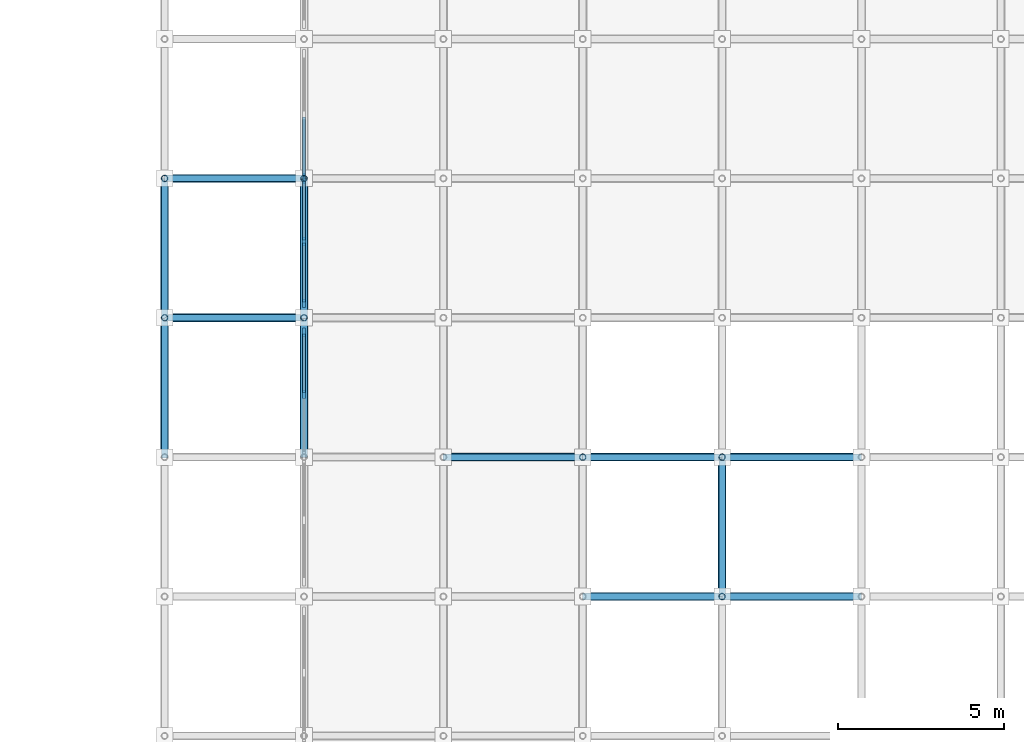
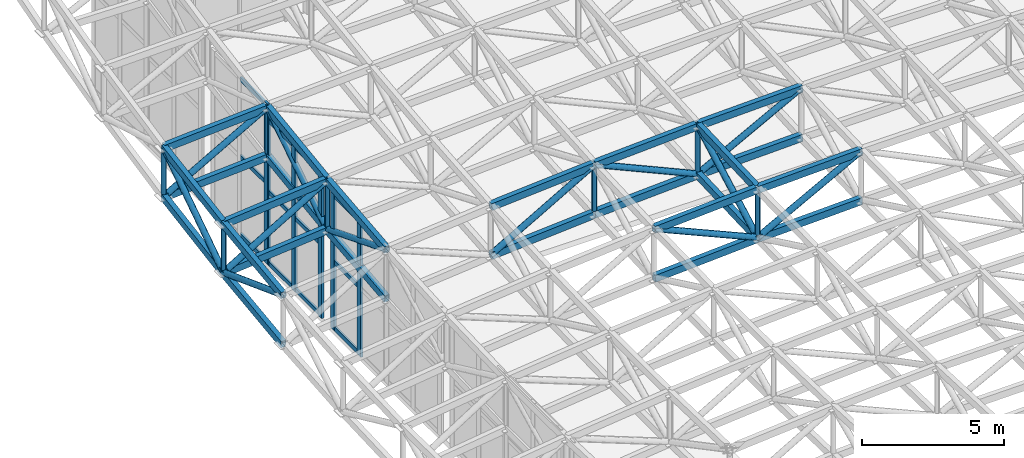
# One storey, part 43 of 123: 61 members, 3 elements without a shape of their own.
"""IFC4 building model written with IfcOpenShell, lengths in metres."""

import ifcopenshell
import ifcopenshell.guid

model = None  # the IFC model being written
_history = None  # IfcOwnerHistory: only IFC2X3 demands one
_inside = {}  # id of a spatial element -> (the spatial element, [elements in it])
_under = {}  # id of a project, library or spatial element -> (it, [spatial elements below it])
_declared = {}  # id of a project -> (the project, [libraries it declares])
_typed = {}  # id of a type object -> (the type object, [elements of that type])
_made_of = {}  # id of a material, layer set ... -> (it, [elements and type objects made of it])


def new_model(schema):
    """Start an empty IFC model of exactly this schema.

    Asked for "IFC4X3", IfcOpenShell would pick the latest addendum, in which some entities
    have other attributes; the version numbers below select the first issue.
    IFC2X3 requires an IfcOwnerHistory on every rooted entity: one is made here for all.
    """
    global model, _history
    if schema == "IFC4X3":
        model = ifcopenshell.file(schema_version=(4, 3, 0, 0))
    else:
        model = ifcopenshell.file(schema=schema)
    _inside.clear()
    _under.clear()
    _declared.clear()
    _typed.clear()
    _made_of.clear()
    _history = None
    if model.schema == "IFC2X3":
        org = make("IfcOrganization", Name="unknown")
        user = make(
            "IfcPersonAndOrganization",
            ThePerson=make("IfcPerson", FamilyName="unknown"),
            TheOrganization=org,
        )
        app = make(
            "IfcApplication",
            ApplicationDeveloper=org,
            Version="unknown",
            ApplicationFullName="unknown",
            ApplicationIdentifier="unknown",
        )
        _history = make(
            "IfcOwnerHistory",
            OwningUser=user,
            OwningApplication=app,
            ChangeAction="ADDED",
            CreationDate=0,
        )
    return model


def make(cls, **values):
    """One entity of the class cls with the attributes given. An attribute that is None is left unset."""
    return model.create_entity(
        cls, **{name: value for name, value in values.items() if value is not None}
    )


def rooted(cls, **values):
    """An entity with a GlobalId (a new one), such as an element, a storey or a relation."""
    return make(cls, GlobalId=ifcopenshell.guid.new(), OwnerHistory=_history, **values)


def si_unit(unit_type, name, prefix=None):
    """IfcSIUnit, for example si_unit("LENGTHUNIT", "METRE", prefix="MILLI")."""
    return make("IfcSIUnit", UnitType=unit_type, Prefix=prefix, Name=name)


def assignment(units):
    """IfcUnitAssignment: the units of a project."""
    return None if units is None else make("IfcUnitAssignment", Units=units)


def point(xyz):
    """IfcCartesianPoint."""
    return None if xyz is None else make("IfcCartesianPoint", Coordinates=xyz)


def direction(xyz):
    """IfcDirection."""
    return None if xyz is None else make("IfcDirection", DirectionRatios=xyz)


def frame(location, z_axis=None, x_axis=None):
    """IfcAxis2Placement3D, a coordinate frame: its origin and axes. An axis left out is left unset."""
    return make(
        "IfcAxis2Placement3D",
        Location=point(location),
        Axis=direction(z_axis),
        RefDirection=direction(x_axis),
    )


def frame_2d(location, x_axis=None):
    """IfcAxis2Placement2D, a coordinate frame in the plane: its origin and x axis."""
    return make(
        "IfcAxis2Placement2D", Location=point(location), RefDirection=direction(x_axis)
    )


def origin():
    """The frame at (0, 0, 0) with its axes left unset."""
    return frame((0.0, 0.0, 0.0))


def origin_2d():
    """The frame at (0, 0) in the plane with its x axis left unset."""
    return frame_2d((0.0, 0.0))


def place(relative_to, where):
    """IfcLocalPlacement: puts the frame where relative to a parent placement (None: the world)."""
    return make(
        "IfcLocalPlacement", PlacementRelTo=relative_to, RelativePlacement=where
    )


def context(
    kind, dimensions, precision=None, world=None, true_north=None, identifier=None
):
    """IfcGeometricRepresentationContext, for example the 3D "Model" context."""
    return make(
        "IfcGeometricRepresentationContext",
        ContextIdentifier=identifier,
        ContextType=kind,
        CoordinateSpaceDimension=dimensions,
        Precision=precision,
        WorldCoordinateSystem=world,
        TrueNorth=true_north,
    )


def subcontext(parent, identifier, kind, view, scale=None):
    """IfcGeometricRepresentationSubContext, for example "Body" below "Model"."""
    return make(
        "IfcGeometricRepresentationSubContext",
        ContextIdentifier=identifier,
        ContextType=kind,
        ParentContext=parent,
        TargetScale=scale,
        TargetView=view,
    )


def project(units=None, contexts=None):
    """IfcProject with its units and contexts."""
    return rooted(
        "IfcProject",
        Name="project",
        RepresentationContexts=contexts,
        UnitsInContext=assignment(units),
    )


def spatial(cls, under=None, at=None, **own):
    """A site, building, storey or space (cls), placed at a placement, below another one or the project."""
    s = rooted(cls, ObjectPlacement=at, **own)
    if under is not None:
        _under.setdefault(under.id(), (under, []))[1].append(s)
    return s


def profile(cls, at=None, kind="AREA", **sizes):
    """A parametric profile (cls). Its sizes go by their IFC names, for example OverallWidth=200.0."""
    return make(cls, ProfileType=kind, Position=at, **sizes)


def rectangle(**sizes):
    """IfcRectangleProfileDef."""
    return profile("IfcRectangleProfileDef", **sizes)


def hollow_rectangle(**sizes):
    """IfcRectangleHollowProfileDef."""
    return profile("IfcRectangleHollowProfileDef", **sizes)


def hollow_circle(**sizes):
    """IfcCircleHollowProfileDef."""
    return profile("IfcCircleHollowProfileDef", **sizes)


def extrude(swept, where, along, depth):
    """IfcExtrudedAreaSolid: the profile swept, set in the frame where, extruded along a direction by depth."""
    return make(
        "IfcExtrudedAreaSolid",
        SweptArea=swept,
        Position=where,
        ExtrudedDirection=direction(along),
        Depth=depth,
    )


def shape(context_of_items, identifier, shape_type, items):
    """IfcShapeRepresentation: the items that make up one representation, for example the "Body"."""
    return make(
        "IfcShapeRepresentation",
        ContextOfItems=context_of_items,
        RepresentationIdentifier=identifier,
        RepresentationType=shape_type,
        Items=items,
    )


def material(Name=None, Category=None):
    """IfcMaterial."""
    return make("IfcMaterial", Name=Name, Category=Category)


def material_profile(
    of_material, cross_section, Name=None, Category=None, Priority=None
):
    """IfcMaterialProfile: a cross section and its material."""
    return make(
        "IfcMaterialProfile",
        Name=Name,
        Material=of_material,
        Profile=cross_section,
        Priority=Priority,
        Category=Category,
    )


def profile_set(profiles, Name=None, composite=None):
    """IfcMaterialProfileSet."""
    return make(
        "IfcMaterialProfileSet",
        Name=Name,
        MaterialProfiles=profiles,
        CompositeProfile=composite,
    )


def made_of(thing, what):
    """Note that an element or type object is made of a material, layer set ...; save() writes the relation."""
    if what is not None:
        _made_of.setdefault(what.id(), (what, []))[1].append(thing)
    return thing


def type_object(cls, material=None, **own):
    """A type object (cls), such as IfcWallType, which elements share."""
    return made_of(rooted(cls, **own), material)


def element(
    cls,
    number,
    at=None,
    inside=None,
    cuts=None,
    type_object=None,
    material=None,
    context=None,
    identifier="Body",
    shape_type=None,
    held_by="IfcProductDefinitionShape",
    body=None,
    shapes=None,
    **own,
):
    """One element of the class cls, such as IfcWall. Its Tag is "e" and its number.

    at: its placement. inside: the storey or other place that contains it. cuts: it is an
    opening in that element (IfcRelVoidsElement). A single representation is given by context,
    identifier, shape_type and body (its items); several are given by shapes. held_by: the class
    of the entity that holds the representations. save() writes the other relations.
    """
    e = rooted(cls, Tag="e%d" % number, ObjectPlacement=at, **own)
    if body is not None:
        shapes = [shape(context, identifier, shape_type, body)]
    if shapes is not None:
        e.Representation = make(held_by, Representations=shapes)
    if inside is not None:
        _inside.setdefault(inside.id(), (inside, []))[1].append(e)
    if cuts is not None:
        rooted(
            "IfcRelVoidsElement", RelatingBuildingElement=cuts, RelatedOpeningElement=e
        )
    if type_object is not None:
        _typed.setdefault(type_object.id(), (type_object, []))[1].append(e)
    return made_of(e, material)


def aggregate(whole, parts):
    """IfcRelAggregates: a whole, such as a stair, and the parts it consists of."""
    return rooted("IfcRelAggregates", RelatingObject=whole, RelatedObjects=parts)


def save(model, path):
    """Write the relations noted so far, then the file.

    IfcRelAggregates (storeys below a building ...), IfcRelContainedInSpatialStructure (elements
    in a storey), IfcRelDefinesByType, IfcRelAssociatesMaterial and IfcRelDeclares: one each for
    every whole, place, type object, material and project.
    """
    for whole, parts in _under.values():
        aggregate(whole, parts)
    for where, things in _inside.values():
        rooted(
            "IfcRelContainedInSpatialStructure",
            RelatedElements=things,
            RelatingStructure=where,
        )
    for kind, things in _typed.values():
        rooted("IfcRelDefinesByType", RelatedObjects=things, RelatingType=kind)
    for what, things in _made_of.values():
        rooted("IfcRelAssociatesMaterial", RelatedObjects=things, RelatingMaterial=what)
    for by, libraries in _declared.values():
        rooted("IfcRelDeclares", RelatingContext=by, RelatedDefinitions=libraries)
    model.write(path)


model = new_model("IFC4")

# Units and contexts
model_context = context("Model", 3, precision=1e-05, world=origin(), true_north=direction((0.0, 1.0)))
body_context = subcontext(model_context, "Body", "Model", "MODEL_VIEW")
ifc_project = project(units=[si_unit("LENGTHUNIT", "METRE"), si_unit("AREAUNIT", "SQUARE_METRE"), si_unit("VOLUMEUNIT", "CUBIC_METRE"), si_unit("PLANEANGLEUNIT", "RADIAN"), si_unit("MASSUNIT", "GRAM", prefix="KILO")], contexts=[model_context])

# Site, building, storey
site_placement = place(None, origin())
site = spatial("IfcSite", under=ifc_project, at=site_placement, CompositionType="ELEMENT")
building_placement = place(site_placement, origin())
building = spatial("IfcBuilding", under=site, at=building_placement, Name="Cumbredor Promenade Congress Hotel", CompositionType="ELEMENT")
storey_placement = place(building_placement, frame((0.0, 0.0, 11.760009765625)))
storey = spatial("IfcBuildingStorey", under=building, at=storey_placement, Name="L03", CompositionType="ELEMENT", Elevation=11.760009765625)

# Members
ifc_material_1 = material(Name="Steel ASTM A500 Grade C", Category="steel")
ifc_material_profile_1 = material_profile(ifc_material_1, hollow_rectangle(XDim=0.199951171875, YDim=0.300048828125, WallThickness=0.012451171875, at=origin_2d()), Name="HSS 300x200x12.5")
ifc_profile_set_1 = profile_set([ifc_material_profile_1], Name="Steel ASTM A500 Grade C")
member_type_1 = type_object("IfcMemberType", Name="Ballroom Roof Space Frame Chord", PredefinedType="CHORD", material=ifc_profile_set_1)
for number, where, z_axis, x_axis, name in (
    (1, (151.199951171875, 42.0, 6.1708984375), (0.998250278263, 0.0, 0.059130211797), (0.0, 1.0, 0.0), "Grand Ballroom Pavilion X Top Chord 4.11"),
    (2, (151.199951171875, 42.0, 4.07080078125), (0.998246851415, 0.0, 0.059188036298), (0.0, 1.0, 0.0), "Grand Ballroom Pavilion X Bottom Chord 4.11"),
):
    element("IfcMember", number, at=place(storey_placement, frame(where, z_axis=z_axis, x_axis=x_axis)), inside=storey, type_object=member_type_1, Name=name, PredefinedType="CHORD", context=body_context, shape_type="SweptSolid", body=[
        extrude(hollow_rectangle(XDim=0.199951171875, YDim=0.300048828125, WallThickness=0.012451171875, at=origin_2d()), origin(), (0.0, 0.0, 1.0), 4.207275390625),
    ])
for number, where, z_axis, x_axis, name in (
    (3, (155.39990234375, 42.0, 6.419677734375), (0.999367876353, 0.0, 0.035550635918), (0.0, 1.0, 0.0), "Grand Ballroom Pavilion X Top Chord 5.11"),
    (4, (155.39990234375, 42.0, 4.31982421875), (0.999369938478, 0.0, 0.03549261988), (0.0, 1.0, 0.0), "Grand Ballroom Pavilion X Bottom Chord 5.11"),
):
    element("IfcMember", number, at=place(storey_placement, frame(where, z_axis=z_axis, x_axis=x_axis)), inside=storey, type_object=member_type_1, Name=name, PredefinedType="CHORD", context=body_context, shape_type="SweptSolid", body=[
        extrude(hollow_rectangle(XDim=0.199951171875, YDim=0.300048828125, WallThickness=0.012451171875, at=origin_2d()), origin(), (0.0, 0.0, 1.0), 4.202880859375),
    ])
for number, where, z_axis, x_axis, name in (
    (5, (147.0, 46.199951171875, 6.065673828125), (0.997290327023, 0.0, 0.073566321281), (0.0, 1.0, 0.0), "Grand Ballroom Pavilion X Top Chord 3.12"),
    (6, (147.0, 46.199951171875, 3.965576171875), (0.997290327023, 0.0, 0.073566321281), (0.0, 1.0, 0.0), "Grand Ballroom Pavilion X Bottom Chord 3.12"),
):
    element("IfcMember", number, at=place(storey_placement, frame(where, z_axis=z_axis, x_axis=x_axis)), inside=storey, type_object=member_type_1, Name=name, PredefinedType="CHORD", context=body_context, shape_type="SweptSolid", body=[
        extrude(hollow_rectangle(XDim=0.199951171875, YDim=0.300048828125, WallThickness=0.012451171875, at=origin_2d()), origin(), (0.0, 0.0, 1.0), 4.21142578125),
    ])
for number, where, z_axis, x_axis, name in (
    (7, (151.199951171875, 46.199951171875, 6.37548828125), (0.998616064852, 0.0, 0.052592347541), (0.0, 1.0, 0.0), "Grand Ballroom Pavilion X Top Chord 4.12"),
    (8, (151.199951171875, 46.199951171875, 4.275390625), (0.998616064852, 0.0, 0.052592347541), (0.0, 1.0, 0.0), "Grand Ballroom Pavilion X Bottom Chord 4.12"),
):
    element("IfcMember", number, at=place(storey_placement, frame(where, z_axis=z_axis, x_axis=x_axis)), inside=storey, type_object=member_type_1, Name=name, PredefinedType="CHORD", context=body_context, shape_type="SweptSolid", body=[
        extrude(hollow_rectangle(XDim=0.199951171875, YDim=0.300048828125, WallThickness=0.012451171875, at=origin_2d()), origin(), (0.0, 0.0, 1.0), 4.205810546875),
    ])
for number, where, z_axis, x_axis, name in (
    (9, (155.39990234375, 46.199951171875, 6.5966796875), (0.999500444885, 0.0, 0.031604757151), (0.0, 1.0, 0.0), "Grand Ballroom Pavilion X Top Chord 5.12"),
    (10, (155.39990234375, 46.199951171875, 4.49658203125), (0.999500444885, 0.0, 0.031604757151), (0.0, 1.0, 0.0), "Grand Ballroom Pavilion X Bottom Chord 5.12"),
):
    element("IfcMember", number, at=place(storey_placement, frame(where, z_axis=z_axis, x_axis=x_axis)), inside=storey, type_object=member_type_1, Name=name, PredefinedType="CHORD", context=body_context, shape_type="SweptSolid", body=[
        extrude(hollow_rectangle(XDim=0.199951171875, YDim=0.300048828125, WallThickness=0.012451171875, at=origin_2d()), origin(), (0.0, 0.0, 1.0), 4.202392578125),
    ])
for number, where, z_axis, x_axis, name in (
    (11, (138.60009765625, 50.39990234375, 5.71240234375), (0.995622284371, 0.0, 0.093467999143), (0.0, 1.0, 0.0), "Grand Ballroom Pavilion X Top Chord 1.13"),
    (12, (138.60009765625, 50.39990234375, 3.612548828125), (0.995627668519, 0.0, 0.093410629366), (0.0, 1.0, 0.0), "Grand Ballroom Pavilion X Bottom Chord 1.13"),
):
    element("IfcMember", number, at=place(storey_placement, frame(where, z_axis=z_axis, x_axis=x_axis)), inside=storey, type_object=member_type_1, Name=name, PredefinedType="CHORD", context=body_context, shape_type="SweptSolid", body=[
        extrude(hollow_rectangle(XDim=0.199951171875, YDim=0.300048828125, WallThickness=0.012451171875, at=origin_2d()), origin(), (0.0, 0.0, 1.0), 4.218505859375),
    ])
for number, where, z_axis, x_axis, name in (
    (13, (138.60009765625, 54.60009765625, 6.419677734375), (0.997906149499, 0.0, 0.064678565174), (0.0, 1.0, 0.0), "Grand Ballroom Pavilion X Top Chord 1.14"),
    (14, (138.60009765625, 54.60009765625, 4.31982421875), (0.997906149499, 0.0, 0.064678565174), (0.0, 1.0, 0.0), "Grand Ballroom Pavilion X Bottom Chord 1.14"),
):
    element("IfcMember", number, at=place(storey_placement, frame(where, z_axis=z_axis, x_axis=x_axis)), inside=storey, type_object=member_type_1, Name=name, PredefinedType="CHORD", context=body_context, shape_type="SweptSolid", body=[
        extrude(hollow_rectangle(XDim=0.199951171875, YDim=0.300048828125, WallThickness=0.012451171875, at=origin_2d()), origin(), (0.0, 0.0, 1.0), 4.208740234375),
    ])
for number, where, z_axis, x_axis, name in (
    (15, (138.60009765625, 46.199951171875, 5.181884765625), (0.0, 0.992116453102, 0.125319365959), (-1.0, 0.0, 0.0), "Grand Ballroom Pavilion Y Top Chord 1.12"),
    (16, (138.60009765625, 46.199951171875, 3.08203125), (0.0, 0.992116453102, 0.125319365959), (-1.0, 0.0, 0.0), "Grand Ballroom Pavilion Y Bottom Chord 1.12"),
):
    element("IfcMember", number, at=place(storey_placement, frame(where, z_axis=z_axis, x_axis=x_axis)), inside=storey, type_object=member_type_1, Name=name, PredefinedType="CHORD", context=body_context, shape_type="SweptSolid", body=[
        extrude(hollow_rectangle(XDim=0.199951171875, YDim=0.300048828125, WallThickness=0.012451171875, at=origin_2d()), origin(), (0.0, 0.0, 1.0), 4.2333984375),
    ])
for number, where, z_axis, x_axis, name in (
    (17, (138.60009765625, 50.39990234375, 5.71240234375), (0.0, 0.986116785193, 0.166053262422), (-1.0, 0.0, 0.0), "Grand Ballroom Pavilion Y Top Chord 1.13"),
    (18, (138.60009765625, 50.39990234375, 3.612548828125), (0.0, 0.986116785193, 0.166053262422), (-1.0, 0.0, 0.0), "Grand Ballroom Pavilion Y Bottom Chord 1.13"),
):
    element("IfcMember", number, at=place(storey_placement, frame(where, z_axis=z_axis, x_axis=x_axis)), inside=storey, type_object=member_type_1, Name=name, PredefinedType="CHORD", context=body_context, shape_type="SweptSolid", body=[
        extrude(hollow_rectangle(XDim=0.199951171875, YDim=0.300048828125, WallThickness=0.012451171875, at=origin_2d()), origin(), (0.0, 0.0, 1.0), 4.25927734375),
    ])
for number, where, z_axis, x_axis, name in (
    (19, (142.800048828125, 46.199951171875, 5.66748046875), (0.0, 0.994576500093, 0.10400762214), (-1.0, 0.0, 0.0), "Grand Ballroom Pavilion Y Top Chord 2.12"),
    (20, (142.800048828125, 46.199951171875, 3.5673828125), (0.0, 0.994576500093, 0.10400762214), (-1.0, 0.0, 0.0), "Grand Ballroom Pavilion Y Bottom Chord 2.12"),
):
    element("IfcMember", number, at=place(storey_placement, frame(where, z_axis=z_axis, x_axis=x_axis)), inside=storey, type_object=member_type_1, Name=name, PredefinedType="CHORD", context=body_context, shape_type="SweptSolid", body=[
        extrude(hollow_rectangle(XDim=0.199951171875, YDim=0.300048828125, WallThickness=0.012451171875, at=origin_2d()), origin(), (0.0, 0.0, 1.0), 4.222900390625),
    ])
for number, where, z_axis, x_axis, name in (
    (21, (142.800048828125, 50.39990234375, 6.106689453125), (0.0, 0.990432911688, 0.137995099356), (-1.0, 0.0, 0.0), "Grand Ballroom Pavilion Y Top Chord 2.13"),
    (22, (142.800048828125, 50.39990234375, 4.006591796875), (0.0, 0.990425041778, 0.138051572319), (-1.0, 0.0, 0.0), "Grand Ballroom Pavilion Y Bottom Chord 2.13"),
):
    element("IfcMember", number, at=place(storey_placement, frame(where, z_axis=z_axis, x_axis=x_axis)), inside=storey, type_object=member_type_1, Name=name, PredefinedType="CHORD", context=body_context, shape_type="SweptSolid", body=[
        extrude(hollow_rectangle(XDim=0.199951171875, YDim=0.300048828125, WallThickness=0.012451171875, at=origin_2d()), origin(), (0.0, 0.0, 1.0), 4.24072265625),
    ])
for number, where, z_axis, x_axis, name in (
    (23, (155.39990234375, 42.0, 6.419677734375), (0.0, 0.999113130752, 0.042106436075), (-1.0, 0.0, 0.0), "Grand Ballroom Pavilion Y Top Chord 5.11"),
    (24, (155.39990234375, 42.0, 4.31982421875), (0.0, 0.999115572358, 0.042048460989), (-1.0, 0.0, 0.0), "Grand Ballroom Pavilion Y Bottom Chord 5.11"),
):
    element("IfcMember", number, at=place(storey_placement, frame(where, z_axis=z_axis, x_axis=x_axis)), inside=storey, type_object=member_type_1, Name=name, PredefinedType="CHORD", context=body_context, shape_type="SweptSolid", body=[
        extrude(hollow_rectangle(XDim=0.199951171875, YDim=0.300048828125, WallThickness=0.012451171875, at=origin_2d()), origin(), (0.0, 0.0, 1.0), 4.20361328125),
    ])

# Curtain wall, members
ifc_material_2 = material(Name="Thermally broken anodized aluminium and low-E glass", Category="aluminium")
curtain_wall_type = type_object("IfcCurtainWallType", Name="Stepped Pavilion Clerestory Curtain Wall CW-06", PredefinedType="NOTDEFINED", material=ifc_material_2)
curtain_wall_1_placement = place(storey_placement, origin())
curtain_wall_1 = element("IfcCurtainWall", 25, at=curtain_wall_1_placement, inside=storey, type_object=curtain_wall_type, Name="Grand Ballroom Pavilion W Glazed Clerestory 10", PredefinedType="NOTDEFINED")
ifc_material_3 = material(Name="Thermally broken anodized aluminium", Category="aluminium")
ifc_material_profile_2 = material_profile(ifc_material_3, rectangle(XDim=0.0849609375, YDim=0.260009765625, at=origin_2d()), Name="ALU MULLION CLERESTORY 85x260")
ifc_profile_set_2 = profile_set([ifc_material_profile_2], Name="Thermally broken anodized aluminium")
member_type_2 = type_object("IfcMemberType", Name="Curtain Wall Mullion ML-04", PredefinedType="MULLION", material=ifc_profile_set_2)
member_1_placement = place(storey_placement, frame((142.800048828125, 48.10009765625, -0.01806640625), z_axis=(0.0, 0.0, 1.0), x_axis=(1.0, 0.0, 0.0)))
member_1 = element("IfcMember", 26, at=member_1_placement, type_object=member_type_2, Name="Grand Ballroom Pavilion W Glazed Clerestory 10 Mullion 2", PredefinedType="MULLION", context=body_context, shape_type="SweptSolid", body=[
    extrude(rectangle(XDim=0.0849609375, YDim=0.260009765625, at=origin_2d()), origin(), (0.0, 0.0, 1.0), 5.861572265625),
])
member_2_placement = place(storey_placement, frame((142.800048828125, 49.9599609375, -0.01806640625), z_axis=(0.0, 0.0, 1.0), x_axis=(1.0, 0.0, 0.0)))
member_2 = element("IfcMember", 27, at=member_2_placement, type_object=member_type_2, Name="Grand Ballroom Pavilion W Glazed Clerestory 10 Mullion 3", PredefinedType="MULLION", context=body_context, shape_type="SweptSolid", body=[
    extrude(rectangle(XDim=0.0849609375, YDim=0.260009765625, at=origin_2d()), origin(), (0.0, 0.0, 1.0), 5.861572265625),
])

curtain_wall_2_placement = place(storey_placement, origin())
curtain_wall_2 = element("IfcCurtainWall", 28, at=curtain_wall_2_placement, inside=storey, type_object=curtain_wall_type, Name="Grand Ballroom Pavilion W Glazed Clerestory 11", PredefinedType="NOTDEFINED")
member_3_placement = place(storey_placement, frame((142.800048828125, 50.840087890625, -0.01806640625), z_axis=(0.0, 0.0, 1.0), x_axis=(1.0, 0.0, 0.0)))
member_3 = element("IfcMember", 29, at=member_3_placement, type_object=member_type_2, Name="Grand Ballroom Pavilion W Glazed Clerestory 11 Mullion 1", PredefinedType="MULLION", context=body_context, shape_type="SweptSolid", body=[
    extrude(rectangle(XDim=0.0849609375, YDim=0.260009765625, at=origin_2d()), origin(), (0.0, 0.0, 1.0), 6.300537109375),
])
member_4_placement = place(storey_placement, frame((142.800048828125, 52.699951171875, -0.01806640625), z_axis=(0.0, 0.0, 1.0), x_axis=(1.0, 0.0, 0.0)))
member_4 = element("IfcMember", 30, at=member_4_placement, type_object=member_type_2, Name="Grand Ballroom Pavilion W Glazed Clerestory 11 Mullion 2", PredefinedType="MULLION", context=body_context, shape_type="SweptSolid", body=[
    extrude(rectangle(XDim=0.0849609375, YDim=0.260009765625, at=origin_2d()), origin(), (0.0, 0.0, 1.0), 6.300537109375),
])
member_5_placement = place(storey_placement, frame((142.800048828125, 54.56005859375, -0.01806640625), z_axis=(0.0, 0.0, 1.0), x_axis=(1.0, 0.0, 0.0)))
member_5 = element("IfcMember", 31, at=member_5_placement, type_object=member_type_2, Name="Grand Ballroom Pavilion W Glazed Clerestory 11 Mullion 3", PredefinedType="MULLION", context=body_context, shape_type="SweptSolid", body=[
    extrude(rectangle(XDim=0.0849609375, YDim=0.260009765625, at=origin_2d()), origin(), (0.0, 0.0, 1.0), 6.300537109375),
])

# Curtain wall, member
curtain_wall_3_placement = place(storey_placement, origin())
curtain_wall_3 = element("IfcCurtainWall", 32, at=curtain_wall_3_placement, inside=storey, type_object=curtain_wall_type, Name="Grand Ballroom Pavilion W Glazed Clerestory 12", PredefinedType="NOTDEFINED")
member_6_placement = place(storey_placement, frame((142.800048828125, 54.639892578125, -0.01806640625), z_axis=(0.0, 0.0, 1.0), x_axis=(1.0, 0.0, 0.0)))
member_6 = element("IfcMember", 33, at=member_6_placement, type_object=member_type_2, Name="Grand Ballroom Pavilion W Glazed Clerestory 12 Mullion 1", PredefinedType="MULLION", context=body_context, shape_type="SweptSolid", body=[
    extrude(rectangle(XDim=0.0849609375, YDim=0.260009765625, at=origin_2d()), origin(), (0.0, 0.0, 1.0), 6.885986328125),
])

# Member
ifc_material_profile_3 = material_profile(ifc_material_3, rectangle(XDim=0.080078125, YDim=0.179931640625, at=origin_2d()), Name="ALU TRANSOM 80x180")
ifc_profile_set_3 = profile_set([ifc_material_profile_3], Name="Thermally broken anodized aluminium")
member_type_3 = type_object("IfcMemberType", Name="Curtain Wall Transom TR-03", PredefinedType="USERDEFINED", material=ifc_profile_set_3)
member_7_placement = place(storey_placement, frame((142.800048828125, 48.142578125, 0.080078125), z_axis=(0.0, 1.0, 0.0), x_axis=(-1.0, 0.0, 0.0)))
member_7 = element("IfcMember", 34, at=member_7_placement, type_object=member_type_3, Name="Grand Ballroom Pavilion W Glazed Clerestory 10 Transom 2.1", ObjectType="TRANSOM", PredefinedType="USERDEFINED", context=body_context, shape_type="SweptSolid", body=[
    extrude(rectangle(XDim=0.080078125, YDim=0.179931640625, at=origin_2d()), origin(), (0.0, 0.0, 1.0), 1.77490234375),
])

member_8_placement = place(storey_placement, frame((142.800048828125, 48.142578125, 2.919921875), z_axis=(0.0, 1.0, 0.0), x_axis=(-1.0, 0.0, 0.0)))
member_8 = element("IfcMember", 35, at=member_8_placement, type_object=member_type_3, Name="Grand Ballroom Pavilion W Glazed Clerestory 10 Transom 2.2", ObjectType="TRANSOM", PredefinedType="USERDEFINED", context=body_context, shape_type="SweptSolid", body=[
    extrude(rectangle(XDim=0.080078125, YDim=0.179931640625, at=origin_2d()), origin(), (0.0, 0.0, 1.0), 1.77490234375),
])

member_9_placement = place(storey_placement, frame((142.800048828125, 48.142578125, 5.75), z_axis=(0.0, 1.0, 0.0), x_axis=(-1.0, 0.0, 0.0)))
member_9 = element("IfcMember", 36, at=member_9_placement, type_object=member_type_3, Name="Grand Ballroom Pavilion W Glazed Clerestory 10 Transom 2.3", ObjectType="TRANSOM", PredefinedType="USERDEFINED", context=body_context, shape_type="SweptSolid", body=[
    extrude(rectangle(XDim=0.080078125, YDim=0.179931640625, at=origin_2d()), origin(), (0.0, 0.0, 1.0), 1.77490234375),
])

aggregate(curtain_wall_1, [member_1, member_2, member_7, member_8, member_9])

member_10_placement = place(storey_placement, frame((142.800048828125, 50.882568359375, 0.080078125), z_axis=(0.0, 1.0, 0.0), x_axis=(-1.0, 0.0, 0.0)))
member_10 = element("IfcMember", 37, at=member_10_placement, type_object=member_type_3, Name="Grand Ballroom Pavilion W Glazed Clerestory 11 Transom 1.1", ObjectType="TRANSOM", PredefinedType="USERDEFINED", context=body_context, shape_type="SweptSolid", body=[
    extrude(rectangle(XDim=0.080078125, YDim=0.179931640625, at=origin_2d()), origin(), (0.0, 0.0, 1.0), 1.77490234375),
])

member_11_placement = place(storey_placement, frame((142.800048828125, 50.882568359375, 3.1298828125), z_axis=(0.0, 1.0, 0.0), x_axis=(-1.0, 0.0, 0.0)))
member_11 = element("IfcMember", 38, at=member_11_placement, type_object=member_type_3, Name="Grand Ballroom Pavilion W Glazed Clerestory 11 Transom 1.2", ObjectType="TRANSOM", PredefinedType="USERDEFINED", context=body_context, shape_type="SweptSolid", body=[
    extrude(rectangle(XDim=0.080078125, YDim=0.179931640625, at=origin_2d()), origin(), (0.0, 0.0, 1.0), 1.77490234375),
])

member_12_placement = place(storey_placement, frame((142.800048828125, 50.882568359375, 6.179931640625), z_axis=(0.0, 1.0, 0.0), x_axis=(-1.0, 0.0, 0.0)))
member_12 = element("IfcMember", 39, at=member_12_placement, type_object=member_type_3, Name="Grand Ballroom Pavilion W Glazed Clerestory 11 Transom 1.3", ObjectType="TRANSOM", PredefinedType="USERDEFINED", context=body_context, shape_type="SweptSolid", body=[
    extrude(rectangle(XDim=0.080078125, YDim=0.179931640625, at=origin_2d()), origin(), (0.0, 0.0, 1.0), 1.77490234375),
])

member_13_placement = place(storey_placement, frame((142.800048828125, 52.742431640625, 0.080078125), z_axis=(0.0, 1.0, 0.0), x_axis=(-1.0, 0.0, 0.0)))
member_13 = element("IfcMember", 40, at=member_13_placement, type_object=member_type_3, Name="Grand Ballroom Pavilion W Glazed Clerestory 11 Transom 2.1", ObjectType="TRANSOM", PredefinedType="USERDEFINED", context=body_context, shape_type="SweptSolid", body=[
    extrude(rectangle(XDim=0.080078125, YDim=0.179931640625, at=origin_2d()), origin(), (0.0, 0.0, 1.0), 1.775146484375),
])

member_14_placement = place(storey_placement, frame((142.800048828125, 52.742431640625, 3.1298828125), z_axis=(0.0, 1.0, 0.0), x_axis=(-1.0, 0.0, 0.0)))
member_14 = element("IfcMember", 41, at=member_14_placement, type_object=member_type_3, Name="Grand Ballroom Pavilion W Glazed Clerestory 11 Transom 2.2", ObjectType="TRANSOM", PredefinedType="USERDEFINED", context=body_context, shape_type="SweptSolid", body=[
    extrude(rectangle(XDim=0.080078125, YDim=0.179931640625, at=origin_2d()), origin(), (0.0, 0.0, 1.0), 1.775146484375),
])

member_15_placement = place(storey_placement, frame((142.800048828125, 52.742431640625, 6.179931640625), z_axis=(0.0, 1.0, 0.0), x_axis=(-1.0, 0.0, 0.0)))
member_15 = element("IfcMember", 42, at=member_15_placement, type_object=member_type_3, Name="Grand Ballroom Pavilion W Glazed Clerestory 11 Transom 2.3", ObjectType="TRANSOM", PredefinedType="USERDEFINED", context=body_context, shape_type="SweptSolid", body=[
    extrude(rectangle(XDim=0.080078125, YDim=0.179931640625, at=origin_2d()), origin(), (0.0, 0.0, 1.0), 1.775146484375),
])

aggregate(curtain_wall_2, [member_3, member_4, member_5, member_10, member_11, member_12, member_13, member_14, member_15])

member_16_placement = place(storey_placement, frame((142.800048828125, 54.6826171875, 0.080078125), z_axis=(0.0, 1.0, 0.0), x_axis=(-1.0, 0.0, 0.0)))
member_16 = element("IfcMember", 43, at=member_16_placement, type_object=member_type_3, Name="Grand Ballroom Pavilion W Glazed Clerestory 12 Transom 1.1", ObjectType="TRANSOM", PredefinedType="USERDEFINED", context=body_context, shape_type="SweptSolid", body=[
    extrude(rectangle(XDim=0.080078125, YDim=0.179931640625, at=origin_2d()), origin(), (0.0, 0.0, 1.0), 1.77490234375),
])

member_17_placement = place(storey_placement, frame((142.800048828125, 54.6826171875, 3.429931640625), z_axis=(0.0, 1.0, 0.0), x_axis=(-1.0, 0.0, 0.0)))
member_17 = element("IfcMember", 44, at=member_17_placement, type_object=member_type_3, Name="Grand Ballroom Pavilion W Glazed Clerestory 12 Transom 1.2", ObjectType="TRANSOM", PredefinedType="USERDEFINED", context=body_context, shape_type="SweptSolid", body=[
    extrude(rectangle(XDim=0.080078125, YDim=0.179931640625, at=origin_2d()), origin(), (0.0, 0.0, 1.0), 1.77490234375),
])

member_18_placement = place(storey_placement, frame((142.800048828125, 54.6826171875, 6.77001953125), z_axis=(0.0, 1.0, 0.0), x_axis=(-1.0, 0.0, 0.0)))
member_18 = element("IfcMember", 45, at=member_18_placement, type_object=member_type_3, Name="Grand Ballroom Pavilion W Glazed Clerestory 12 Transom 1.3", ObjectType="TRANSOM", PredefinedType="USERDEFINED", context=body_context, shape_type="SweptSolid", body=[
    extrude(rectangle(XDim=0.080078125, YDim=0.179931640625, at=origin_2d()), origin(), (0.0, 0.0, 1.0), 1.77490234375),
])

aggregate(curtain_wall_3, [member_6, member_16, member_17, member_18])

# Members
ifc_material_profile_4 = material_profile(ifc_material_1, hollow_circle(Radius=0.122314453125, WallThickness=0.012451171875, at=origin_2d()), Name="CHS 244.5x12.5")
ifc_profile_set_4 = profile_set([ifc_material_profile_4], Name="Steel ASTM A500 Grade C")
member_type_4 = type_object("IfcMemberType", Name="Space Frame Web Diagonal D2", PredefinedType="BRACE", material=ifc_profile_set_4)
member_19_placement = place(storey_placement, frame((151.199951171875, 42.0, 6.1708984375), z_axis=(0.915066223457, 0.0, -0.403303616012), x_axis=(0.0, 1.0, 0.0)))
element("IfcMember", 46, at=member_19_placement, inside=storey, type_object=member_type_4, Name="Grand Ballroom Pavilion X Web Diagonal 4.11", PredefinedType="BRACE", context=body_context, shape_type="SweptSolid", body=[
    extrude(hollow_circle(Radius=0.122314453125, WallThickness=0.012451171875, at=origin_2d()), origin(), (0.0, 0.0, 1.0), 4.58984375),
])
member_20_placement = place(storey_placement, frame((155.39990234375, 42.0, 4.31982421875), z_axis=(0.881553088582, 0.0, 0.472084899157), x_axis=(0.0, 1.0, 0.0)))
element("IfcMember", 47, at=member_20_placement, inside=storey, type_object=member_type_4, Name="Grand Ballroom Pavilion X Web Diagonal 5.11", PredefinedType="BRACE", context=body_context, shape_type="SweptSolid", body=[
    extrude(hollow_circle(Radius=0.122314453125, WallThickness=0.012451171875, at=origin_2d()), origin(), (0.0, 0.0, 1.0), 4.7646484375),
])
member_21_placement = place(storey_placement, frame((147.0, 46.199951171875, 3.965576171875), z_axis=(0.867357491971, 0.0, 0.497685624789), x_axis=(0.0, 1.0, 0.0)))
element("IfcMember", 48, at=member_21_placement, inside=storey, type_object=member_type_4, Name="Grand Ballroom Pavilion X Web Diagonal 3.12", PredefinedType="BRACE", context=body_context, shape_type="SweptSolid", body=[
    extrude(hollow_circle(Radius=0.122314453125, WallThickness=0.012451171875, at=origin_2d()), origin(), (0.0, 0.0, 1.0), 4.84228515625),
])
member_22_placement = place(storey_placement, frame((151.199951171875, 46.199951171875, 6.37548828125), z_axis=(0.912819813426, 0.0, -0.408362569559), x_axis=(0.0, 1.0, 0.0)))
element("IfcMember", 49, at=member_22_placement, inside=storey, type_object=member_type_4, Name="Grand Ballroom Pavilion X Web Diagonal 4.12", PredefinedType="BRACE", context=body_context, shape_type="SweptSolid", body=[
    extrude(hollow_circle(Radius=0.122314453125, WallThickness=0.012451171875, at=origin_2d()), origin(), (0.0, 0.0, 1.0), 4.60107421875),
])
member_23_placement = place(storey_placement, frame((155.39990234375, 46.199951171875, 4.49658203125), z_axis=(0.882980121251, 0.0, 0.469410380665), x_axis=(0.0, 1.0, 0.0)))
element("IfcMember", 50, at=member_23_placement, inside=storey, type_object=member_type_4, Name="Grand Ballroom Pavilion X Web Diagonal 5.12", PredefinedType="BRACE", context=body_context, shape_type="SweptSolid", body=[
    extrude(hollow_circle(Radius=0.122314453125, WallThickness=0.012451171875, at=origin_2d()), origin(), (0.0, 0.0, 1.0), 4.7568359375),
])
member_24_placement = place(storey_placement, frame((138.60009765625, 50.39990234375, 3.612548828125), z_axis=(0.859817030467, 0.0, 0.510602266073), x_axis=(0.0, 1.0, 0.0)))
element("IfcMember", 51, at=member_24_placement, inside=storey, type_object=member_type_4, Name="Grand Ballroom Pavilion X Web Diagonal 1.13", PredefinedType="BRACE", context=body_context, shape_type="SweptSolid", body=[
    extrude(hollow_circle(Radius=0.122314453125, WallThickness=0.012451171875, at=origin_2d()), origin(), (0.0, 0.0, 1.0), 4.884765625),
])
member_25_placement = place(storey_placement, frame((138.60009765625, 54.60009765625, 4.31982421875), z_axis=(0.870723990269, 0.0, 0.491772033335), x_axis=(0.0, 1.0, 0.0)))
element("IfcMember", 52, at=member_25_placement, inside=storey, type_object=member_type_4, Name="Grand Ballroom Pavilion X Web Diagonal 1.14", PredefinedType="BRACE", context=body_context, shape_type="SweptSolid", body=[
    extrude(hollow_circle(Radius=0.122314453125, WallThickness=0.012451171875, at=origin_2d()), origin(), (0.0, 0.0, 1.0), 4.823486328125),
])
member_26_placement = place(storey_placement, frame((138.60009765625, 46.199951171875, 5.181884765625), z_axis=(0.0, 0.936742513249, -0.350019233574), x_axis=(-1.0, 0.0, 0.0)))
element("IfcMember", 53, at=member_26_placement, inside=storey, type_object=member_type_4, Name="Grand Ballroom Pavilion Y Web Diagonal 1.12", PredefinedType="BRACE", context=body_context, shape_type="SweptSolid", body=[
    extrude(hollow_circle(Radius=0.122314453125, WallThickness=0.012451171875, at=origin_2d()), origin(), (0.0, 0.0, 1.0), 4.483642578125),
])
member_27_placement = place(storey_placement, frame((138.60009765625, 50.39990234375, 3.612548828125), z_axis=(0.0, 0.831410343846, 0.555658924293), x_axis=(-1.0, 0.0, 0.0)))
element("IfcMember", 54, at=member_27_placement, inside=storey, type_object=member_type_4, Name="Grand Ballroom Pavilion Y Web Diagonal 1.13", PredefinedType="BRACE", context=body_context, shape_type="SweptSolid", body=[
    extrude(hollow_circle(Radius=0.122314453125, WallThickness=0.012451171875, at=origin_2d()), origin(), (0.0, 0.0, 1.0), 5.052001953125),
])
member_28_placement = place(storey_placement, frame((142.800048828125, 46.199951171875, 5.66748046875), z_axis=(0.0, 0.929927190397, -0.367743688675), x_axis=(-1.0, 0.0, 0.0)))
element("IfcMember", 55, at=member_28_placement, inside=storey, type_object=member_type_4, Name="Grand Ballroom Pavilion Y Web Diagonal 2.12", PredefinedType="BRACE", context=body_context, shape_type="SweptSolid", body=[
    extrude(hollow_circle(Radius=0.122314453125, WallThickness=0.012451171875, at=origin_2d()), origin(), (0.0, 0.0, 1.0), 4.516357421875),
])
member_29_placement = place(storey_placement, frame((142.800048828125, 50.39990234375, 4.006591796875), z_axis=(0.0, 0.842528342713, 0.538652013572), x_axis=(-1.0, 0.0, 0.0)))
element("IfcMember", 56, at=member_29_placement, inside=storey, type_object=member_type_4, Name="Grand Ballroom Pavilion Y Web Diagonal 2.13", PredefinedType="BRACE", context=body_context, shape_type="SweptSolid", body=[
    extrude(hollow_circle(Radius=0.122314453125, WallThickness=0.012451171875, at=origin_2d()), origin(), (0.0, 0.0, 1.0), 4.985107421875),
])
member_30_placement = place(storey_placement, frame((155.39990234375, 42.0, 4.31982421875), z_axis=(0.0, 0.879126943322, 0.476587680836), x_axis=(-1.0, 0.0, 0.0)))
element("IfcMember", 57, at=member_30_placement, inside=storey, type_object=member_type_4, Name="Grand Ballroom Pavilion Y Web Diagonal 5.11", PredefinedType="BRACE", context=body_context, shape_type="SweptSolid", body=[
    extrude(hollow_circle(Radius=0.122314453125, WallThickness=0.012451171875, at=origin_2d()), origin(), (0.0, 0.0, 1.0), 4.77734375),
])
ifc_material_profile_5 = material_profile(ifc_material_1, hollow_circle(Radius=0.096923828125, WallThickness=0.010009765625, at=origin_2d()), Name="CHS 193.7x10")
ifc_profile_set_5 = profile_set([ifc_material_profile_5], Name="Steel ASTM A500 Grade C")
member_type_5 = type_object("IfcMemberType", Name="Space Frame Web Post P1", PredefinedType="BRACE", material=ifc_profile_set_5)
for number, where, z_axis, x_axis, name in (
    (58, (138.60009765625, 50.39990234375, 3.612548828125), (0.0, 0.0, 1.0), (1.0, 0.0, 0.0), "Grand Ballroom Pavilion Space Frame Web Post 1.13"),
    (59, (138.60009765625, 54.60009765625, 4.31982421875), (0.0, 0.0, 1.0), (1.0, 0.0, 0.0), "Grand Ballroom Pavilion Space Frame Web Post 1.14"),
):
    element("IfcMember", number, at=place(storey_placement, frame(where, z_axis=z_axis, x_axis=x_axis)), inside=storey, type_object=member_type_5, Name=name, PredefinedType="BRACE", context=body_context, shape_type="SweptSolid", body=[
        extrude(hollow_circle(Radius=0.096923828125, WallThickness=0.010009765625, at=origin_2d()), origin(), (0.0, 0.0, 1.0), 2.099853515625),
    ])
member_31_placement = place(storey_placement, frame((142.800048828125, 50.39990234375, 4.006591796875), z_axis=(0.0, 0.0, 1.0), x_axis=(1.0, 0.0, 0.0)))
element("IfcMember", 60, at=member_31_placement, inside=storey, type_object=member_type_5, Name="Grand Ballroom Pavilion Space Frame Web Post 2.13", PredefinedType="BRACE", context=body_context, shape_type="SweptSolid", body=[
    extrude(hollow_circle(Radius=0.096923828125, WallThickness=0.010009765625, at=origin_2d()), origin(), (0.0, 0.0, 1.0), 2.10009765625),
])
member_32_placement = place(storey_placement, frame((142.800048828125, 54.60009765625, 4.592041015625), z_axis=(0.0, 0.0, 1.0), x_axis=(1.0, 0.0, 0.0)))
element("IfcMember", 61, at=member_32_placement, inside=storey, type_object=member_type_5, Name="Grand Ballroom Pavilion Space Frame Web Post 2.14", PredefinedType="BRACE", context=body_context, shape_type="SweptSolid", body=[
    extrude(hollow_circle(Radius=0.096923828125, WallThickness=0.010009765625, at=origin_2d()), origin(), (0.0, 0.0, 1.0), 2.099853515625),
])
member_33_placement = place(storey_placement, frame((151.199951171875, 46.199951171875, 4.275390625), z_axis=(0.0, 0.0, 1.0), x_axis=(1.0, 0.0, 0.0)))
element("IfcMember", 62, at=member_33_placement, inside=storey, type_object=member_type_5, Name="Grand Ballroom Pavilion Space Frame Web Post 4.12", PredefinedType="BRACE", context=body_context, shape_type="SweptSolid", body=[
    extrude(hollow_circle(Radius=0.096923828125, WallThickness=0.010009765625, at=origin_2d()), origin(), (0.0, 0.0, 1.0), 2.10009765625),
])
member_34_placement = place(storey_placement, frame((155.39990234375, 42.0, 4.31982421875), z_axis=(0.0, 0.0, 1.0), x_axis=(1.0, 0.0, 0.0)))
element("IfcMember", 63, at=member_34_placement, inside=storey, type_object=member_type_5, Name="Grand Ballroom Pavilion Space Frame Web Post 5.11", PredefinedType="BRACE", context=body_context, shape_type="SweptSolid", body=[
    extrude(hollow_circle(Radius=0.096923828125, WallThickness=0.010009765625, at=origin_2d()), origin(), (0.0, 0.0, 1.0), 2.099853515625),
])
member_35_placement = place(storey_placement, frame((155.39990234375, 46.199951171875, 4.49658203125), z_axis=(0.0, 0.0, 1.0), x_axis=(1.0, 0.0, 0.0)))
element("IfcMember", 64, at=member_35_placement, inside=storey, type_object=member_type_5, Name="Grand Ballroom Pavilion Space Frame Web Post 5.12", PredefinedType="BRACE", context=body_context, shape_type="SweptSolid", body=[
    extrude(hollow_circle(Radius=0.096923828125, WallThickness=0.010009765625, at=origin_2d()), origin(), (0.0, 0.0, 1.0), 2.10009765625),
])

save(model, "model.ifc")
